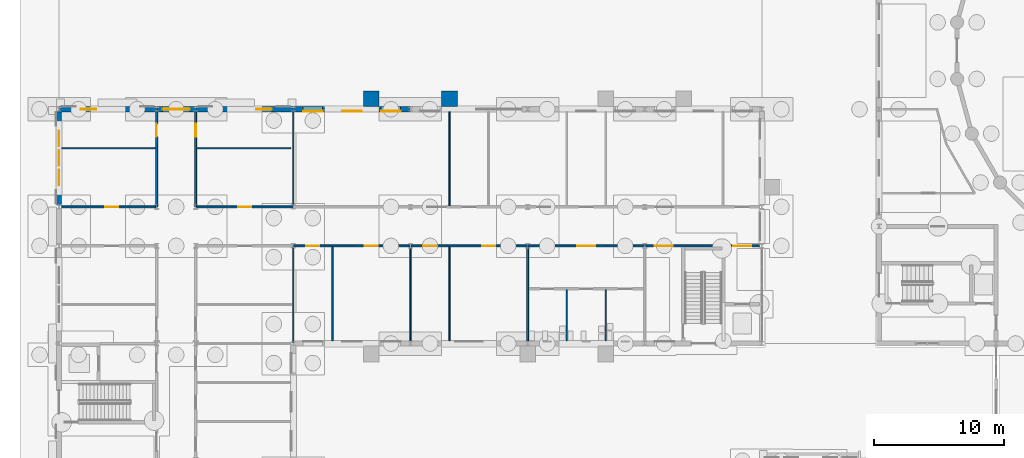
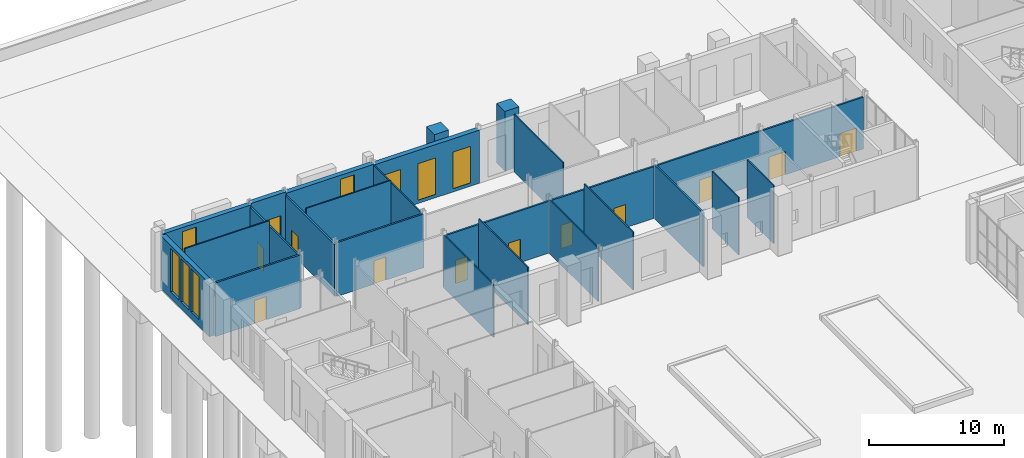
# One storey, part 94 of 168: 23 walls, 11 doors, 9 windows, 20 openings.
"""IFC4 building model written with IfcOpenShell, lengths in metres."""

from ifc_helpers import new_model, si_unit, direction, frame, frame_2d, origin, place, context, subcontext, project, spatial, rectangle, extrude, material, layer, layer_set, type_object, element, fill, save


model = new_model("IFC4")

# Units and contexts
model_context = context("Model", 3, precision=1e-05, world=origin(), true_north=direction((0.0, 1.0)))
body_context = subcontext(model_context, "Body", "Model", "MODEL_VIEW")
ifc_project = project(units=[si_unit("LENGTHUNIT", "METRE"), si_unit("AREAUNIT", "SQUARE_METRE"), si_unit("VOLUMEUNIT", "CUBIC_METRE"), si_unit("PLANEANGLEUNIT", "RADIAN"), si_unit("MASSUNIT", "GRAM", prefix="KILO")], contexts=[model_context])

# Site, building, storey
site_placement = place(None, origin())
site = spatial("IfcSite", under=ifc_project, at=site_placement, CompositionType="ELEMENT")
building_placement = place(site_placement, origin())
building = spatial("IfcBuilding", under=site, at=building_placement, Name="Golden Quay Civic Hall", CompositionType="ELEMENT")
storey_placement = place(building_placement, origin())
storey = spatial("IfcBuildingStorey", under=building, at=storey_placement, Name="L00", CompositionType="ELEMENT", Elevation=0.0)

# Wall, openings, windows
ifc_material_1 = material(Name="Brick, dark clay facing", Category="masonry")
ifc_layer_1 = layer(ifc_material_1, 0.39990234375)
ifc_layer_set_1 = layer_set([ifc_layer_1], Name="Brick external wall 400")
wall_type_1 = type_object("IfcWallType", Name="Brick external wall 400", PredefinedType="STANDARD", material=ifc_layer_set_1)
wall_1_placement = place(storey_placement, frame((18.010498046875, 81.0, 0.0), z_axis=(0.0, 0.0, 1.0), x_axis=(1.0, 0.0, 0.0)))
wall_1 = element("IfcWall", 1, at=wall_1_placement, inside=storey, type_object=wall_type_1, Name="Brick external wall 400 L00 2", PredefinedType="STANDARD", context=body_context, shape_type="SweptSolid", body=[
    extrude(rectangle(XDim=8.97900390625, YDim=0.39990234375, at=frame_2d((4.489501953125, 0.0))), origin(), (0.0, 0.0, 1.0), 4.800048828125),
])
opening_1_placement = place(wall_1_placement, frame((0.739501953125, 0.0, 0.300048828125)))
opening_1 = element("IfcOpeningElement", 2, at=opening_1_placement, cuts=wall_1, Name="Opening WN4", PredefinedType="OPENING", context=body_context, shape_type="SweptSolid", body=[
    extrude(rectangle(XDim=1.5, YDim=3.300048828125, at=frame_2d((0.75, 1.64990234375))), frame((0.0, 0.2099609375, 0.0), z_axis=(0.0, -1.0, 0.0), x_axis=(1.0, 0.0, 0.0)), (0.0, 0.0, 1.0), 0.419921875),
])
opening_2_placement = place(wall_1_placement, frame((3.739501953125, 0.0, 0.300048828125)))
opening_2 = element("IfcOpeningElement", 3, at=opening_2_placement, cuts=wall_1, Name="Opening WN4", PredefinedType="OPENING", context=body_context, shape_type="SweptSolid", body=[
    extrude(rectangle(XDim=1.5, YDim=3.300048828125, at=frame_2d((0.75, 1.64990234375))), frame((0.0, 0.2099609375, 0.0), z_axis=(0.0, -1.0, 0.0), x_axis=(1.0, 0.0, 0.0)), (0.0, 0.0, 1.0), 0.419921875),
])
opening_3_placement = place(wall_1_placement, frame((6.739501953125, 0.0, 0.300048828125)))
opening_3 = element("IfcOpeningElement", 4, at=opening_3_placement, cuts=wall_1, Name="Opening WN4", PredefinedType="OPENING", context=body_context, shape_type="SweptSolid", body=[
    extrude(rectangle(XDim=1.5, YDim=3.300048828125, at=frame_2d((0.75, 1.64990234375))), frame((0.0, 0.2099609375, 0.0), z_axis=(0.0, -1.0, 0.0), x_axis=(1.0, 0.0, 0.0)), (0.0, 0.0, 1.0), 0.419921875),
])
ifc_material_2 = material(Name="Aluminium frame, double glazed", Category="aluminium")
window_type_1 = type_object("IfcWindowType", Name="Tall ground-floor window 1500 x 3300", PartitioningType="SINGLE_PANEL", PredefinedType="WINDOW", material=ifc_material_2)
window_1_placement = place(opening_1_placement, origin())
window_1 = element("IfcWindow", 5, at=window_1_placement, inside=storey, type_object=window_type_1, Name="Tall ground-floor window 1500 x 3300 L00 4", OverallHeight=3.300048828125, OverallWidth=1.5, PartitioningType="SINGLE_PANEL", PredefinedType="WINDOW", context=body_context, shape_type="SweptSolid", body=[
    extrude(rectangle(XDim=1.5, YDim=3.300048828125, at=frame_2d((0.75, 1.64990234375))), frame((0.0, -0.119873046875, 0.0), z_axis=(0.0, -1.0, 0.0), x_axis=(1.0, 0.0, 0.0)), (0.0, 0.0, 1.0), 0.06005859375),
])
fill(opening_1, window_1)
window_2_placement = place(opening_2_placement, origin())
window_2 = element("IfcWindow", 6, at=window_2_placement, inside=storey, type_object=window_type_1, Name="Tall ground-floor window 1500 x 3300 L00 5", OverallHeight=3.300048828125, OverallWidth=1.5, PartitioningType="SINGLE_PANEL", PredefinedType="WINDOW", context=body_context, shape_type="SweptSolid", body=[
    extrude(rectangle(XDim=1.5, YDim=3.300048828125, at=frame_2d((0.75, 1.64990234375))), frame((0.0, -0.119873046875, 0.0), z_axis=(0.0, -1.0, 0.0), x_axis=(1.0, 0.0, 0.0)), (0.0, 0.0, 1.0), 0.06005859375),
])
fill(opening_2, window_2)
window_3_placement = place(opening_3_placement, origin())
window_3 = element("IfcWindow", 7, at=window_3_placement, inside=storey, type_object=window_type_1, Name="Tall ground-floor window 1500 x 3300 L00 6", OverallHeight=3.300048828125, OverallWidth=1.5, PartitioningType="SINGLE_PANEL", PredefinedType="WINDOW", context=body_context, shape_type="SweptSolid", body=[
    extrude(rectangle(XDim=1.5, YDim=3.300048828125, at=frame_2d((0.75, 1.64990234375))), frame((0.0, -0.119873046875, 0.0), z_axis=(0.0, -1.0, 0.0), x_axis=(1.0, 0.0, 0.0)), (0.0, 0.0, 1.0), 0.06005859375),
])
fill(opening_3, window_3)

# Walls
ifc_material_3 = material(Name="Brick, dark clay facing", Category="masonry")
ifc_layer_2 = layer(ifc_material_3, 1.199951171875)
ifc_layer_set_2 = layer_set([ifc_layer_2], Name="Brick pilaster 1200 x 1200")
wall_type_2 = type_object("IfcWallType", Name="Brick pilaster 1200 x 1200", PredefinedType="STANDARD", material=ifc_layer_set_2)
for number, where, z_axis, x_axis, name in (
    (8, (23.39990234375, 81.800048828125, 0.0), (0.0, 0.0, 1.0), (1.0, 0.0, 0.0), "Brick pilaster 1200 x 1200 L00 1"),
    (9, (29.39990234375, 81.800048828125, 0.0), (0.0, 0.0, 1.0), (1.0, 0.0, 0.0), "Brick pilaster 1200 x 1200 L00 2"),
):
    element("IfcWall", number, at=place(storey_placement, frame(where, z_axis=z_axis, x_axis=x_axis)), inside=storey, type_object=wall_type_2, Name=name, PredefinedType="STANDARD", context=body_context, shape_type="SweptSolid", body=[
        extrude(rectangle(XDim=1.2001953125, YDim=1.199951171875, at=frame_2d((0.60009765625, 0.0))), origin(), (0.0, 0.0, 1.0), 5.39990234375),
    ])
ifc_material_4 = material(Name="Plasterboard on steel studs", Category="steel")
ifc_layer_3 = layer(ifc_material_4, 0.10009765625)
ifc_layer_set_3 = layer_set([ifc_layer_3], Name="Partition 100 stud")
wall_type_3 = type_object("IfcWallType", Name="Partition 100 stud", PredefinedType="PARTITIONING", material=ifc_layer_set_3)
for number, where, z_axis, x_axis, name in (
    (10, (0.199951171875, 78.0, 0.0), (0.0, 0.0, 1.0), (1.0, 0.0, 0.0), "Partition L00-039"),
    (11, (10.574951171875, 78.0, 0.0), (0.0, 0.0, 1.0), (1.0, 0.0, 0.0), "Partition L00-040"),
):
    element("IfcWall", number, at=place(storey_placement, frame(where, z_axis=z_axis, x_axis=x_axis)), inside=storey, type_object=wall_type_3, Name=name, PredefinedType="PARTITIONING", context=body_context, shape_type="SweptSolid", body=[
        extrude(rectangle(XDim=7.22509765625, YDim=0.10009765625, at=frame_2d((3.612548828125, 0.0))), origin(), (0.0, 0.0, 1.0), 5.199951171875),
    ])
wall_2_placement = place(storey_placement, frame((18.0, 63.074951171875, 0.0), z_axis=(0.0, 0.0, 1.0), x_axis=(0.0, 1.0, 0.0)))
element("IfcWall", 12, at=wall_2_placement, inside=storey, type_object=wall_type_3, Name="Partition L00-041", PredefinedType="PARTITIONING", context=body_context, shape_type="SweptSolid", body=[
    extrude(rectangle(XDim=7.35009765625, YDim=0.10009765625, at=frame_2d((3.675048828125, 0.0))), origin(), (0.0, 0.0, 1.0), 4.780029296875),
])
wall_3_placement = place(storey_placement, frame((18.0, 73.574951171875, 0.0), z_axis=(0.0, 0.0, 1.0), x_axis=(0.0, 1.0, 0.0)))
element("IfcWall", 13, at=wall_3_placement, inside=storey, type_object=wall_type_3, Name="Partition L00-042", PredefinedType="PARTITIONING", context=body_context, shape_type="SweptSolid", body=[
    extrude(rectangle(XDim=7.22509765625, YDim=0.10009765625, at=frame_2d((3.612548828125, 0.0))), origin(), (0.0, 0.0, 1.0), 4.780029296875),
])
wall_4_placement = place(storey_placement, frame((21.0, 63.199951171875, 0.0), z_axis=(0.0, 0.0, 1.0), x_axis=(0.0, 1.0, 0.0)))
element("IfcWall", 14, at=wall_4_placement, inside=storey, type_object=wall_type_3, Name="Partition L00-000", PredefinedType="PARTITIONING", context=body_context, shape_type="SweptSolid", body=[
    extrude(rectangle(XDim=7.22509765625, YDim=0.10009765625, at=frame_2d((3.612548828125, 0.0))), origin(), (0.0, 0.0, 1.0), 5.199951171875),
])
wall_5_placement = place(storey_placement, frame((27.0, 63.199951171875, 0.0), z_axis=(0.0, 0.0, 1.0), x_axis=(0.0, 1.0, 0.0)))
element("IfcWall", 15, at=wall_5_placement, inside=storey, type_object=wall_type_3, Name="Partition L00-001", PredefinedType="PARTITIONING", context=body_context, shape_type="SweptSolid", body=[
    extrude(rectangle(XDim=7.22509765625, YDim=0.10009765625, at=frame_2d((3.612548828125, 0.0))), origin(), (0.0, 0.0, 1.0), 4.85009765625),
])
for number, where, z_axis, x_axis, name in (
    (16, (30.0, 63.199951171875, 0.0), (0.0, 0.0, 1.0), (0.0, 1.0, 0.0), "Partition L00-002"),
    (17, (30.0, 73.574951171875, 0.0), (0.0, 0.0, 1.0), (0.0, 1.0, 0.0), "Partition L00-004"),
):
    element("IfcWall", number, at=place(storey_placement, frame(where, z_axis=z_axis, x_axis=x_axis)), inside=storey, type_object=wall_type_3, Name=name, PredefinedType="PARTITIONING", context=body_context, shape_type="SweptSolid", body=[
        extrude(rectangle(XDim=7.22509765625, YDim=0.10009765625, at=frame_2d((3.612548828125, 0.0))), origin(), (0.0, 0.0, 1.0), 5.199951171875),
    ])
for number, where, z_axis, x_axis, name in (
    (18, (39.0, 63.199951171875, 0.0), (0.0, 0.0, 1.0), (0.0, 1.0, 0.0), "Partition L00-013"),
    (19, (42.0, 63.199951171875, 0.0), (0.0, 0.0, 1.0), (0.0, 1.0, 0.0), "Partition L00-014"),
):
    element("IfcWall", number, at=place(storey_placement, frame(where, z_axis=z_axis, x_axis=x_axis)), inside=storey, type_object=wall_type_3, Name=name, PredefinedType="PARTITIONING", context=body_context, shape_type="SweptSolid", body=[
        extrude(rectangle(XDim=3.925048828125, YDim=0.10009765625, at=frame_2d((1.96240234375, 0.0))), origin(), (0.0, 0.0, 1.0), 5.199951171875),
    ])

# Wall, opening, door
ifc_material_5 = material(Name="Plasterboard on steel studs", Category="steel")
ifc_layer_4 = layer(ifc_material_5, 0.14990234375)
ifc_layer_set_4 = layer_set([ifc_layer_4], Name="Partition 150 stud fire EI 60")
wall_type_4 = type_object("IfcWallType", Name="Partition 150 stud fire EI 60", PredefinedType="PARTITIONING", material=ifc_layer_set_4)
wall_6_placement = place(storey_placement, frame((7.5, 73.5, 0.0), z_axis=(0.0, 0.0, 1.0), x_axis=(0.0, 1.0, 0.0)))
wall_6 = element("IfcWall", 20, at=wall_6_placement, inside=storey, type_object=wall_type_4, Name="Partition L00-026", PredefinedType="PARTITIONING", context=body_context, shape_type="SweptSolid", body=[
    extrude(rectangle(XDim=7.300048828125, YDim=0.14990234375, at=frame_2d((3.64990234375, 0.0))), origin(), (0.0, 0.0, 1.0), 4.679931640625),
])
opening_4_placement = place(wall_6_placement, frame((5.39990234375, 0.0, 0.0)))
opening_4 = element("IfcOpeningElement", 21, at=opening_4_placement, cuts=wall_6, Name="Opening L00-D086", PredefinedType="OPENING", context=body_context, shape_type="SweptSolid", body=[
    extrude(rectangle(XDim=1.0, YDim=2.10009765625, at=frame_2d((0.5, 1.050048828125))), frame((0.0, 0.0849609375, 0.0), z_axis=(0.0, -1.0, 0.0), x_axis=(1.0, 0.0, 0.0)), (0.0, 0.0, 1.0), 0.169921875),
])
ifc_material_6 = material(Name="Steel", Category="steel")
door_type_1 = type_object("IfcDoorType", Name="Steel fire door FD30S 1000 x 2100", OperationType="SINGLE_SWING_LEFT", PredefinedType="DOOR", material=ifc_material_6)
door_1_placement = place(opening_4_placement, origin())
door_1 = element("IfcDoor", 22, at=door_1_placement, inside=storey, type_object=door_type_1, Name="Door L00-D086", OperationType="SINGLE_SWING_LEFT", OverallHeight=2.10009765625, OverallWidth=1.0, PredefinedType="DOOR", context=body_context, shape_type="SweptSolid", body=[
    extrude(rectangle(XDim=1.0, YDim=2.10009765625, at=frame_2d((0.5, 1.050048828125))), frame((0.0, 0.02490234375, 0.0), z_axis=(0.0, -1.0, 0.0), x_axis=(1.0, 0.0, 0.0)), (0.0, 0.0, 1.0), 0.050048828125),
])
fill(opening_4, door_1)

wall_7_placement = place(storey_placement, frame((10.5, 73.5, 0.0), z_axis=(0.0, 0.0, 1.0), x_axis=(0.0, 1.0, 0.0)))
wall_7 = element("IfcWall", 23, at=wall_7_placement, inside=storey, type_object=wall_type_4, Name="Partition L00-028", PredefinedType="PARTITIONING", context=body_context, shape_type="SweptSolid", body=[
    extrude(rectangle(XDim=7.300048828125, YDim=0.14990234375, at=frame_2d((3.64990234375, 0.0))), origin(), (0.0, 0.0, 1.0), 4.679931640625),
])
opening_5_placement = place(wall_7_placement, frame((5.39990234375, 0.0, 0.0)))
opening_5 = element("IfcOpeningElement", 24, at=opening_5_placement, cuts=wall_7, Name="Opening L00-D088", PredefinedType="OPENING", context=body_context, shape_type="SweptSolid", body=[
    extrude(rectangle(XDim=1.0, YDim=2.10009765625, at=frame_2d((0.5, 1.050048828125))), frame((0.0, 0.0849609375, 0.0), z_axis=(0.0, -1.0, 0.0), x_axis=(1.0, 0.0, 0.0)), (0.0, 0.0, 1.0), 0.169921875),
])
door_2_placement = place(opening_5_placement, frame((1.0, 0.0, 0.0), z_axis=(0.0, 0.0, 1.0), x_axis=(-1.0, 0.0, 0.0)))
door_2 = element("IfcDoor", 25, at=door_2_placement, inside=storey, type_object=door_type_1, Name="Door L00-D088", OperationType="SINGLE_SWING_RIGHT", OverallHeight=2.10009765625, OverallWidth=1.0, PredefinedType="DOOR", context=body_context, shape_type="SweptSolid", body=[
    extrude(rectangle(XDim=1.0, YDim=2.10009765625, at=frame_2d((0.5, 1.050048828125))), frame((0.0, 0.025146484375, 0.0), z_axis=(0.0, -1.0, 0.0), x_axis=(1.0, 0.0, 0.0)), (0.0, 0.0, 1.0), 0.050048828125),
])
fill(opening_5, door_2)

wall_8_placement = place(storey_placement, frame((0.199951171875, 73.5, 0.0), z_axis=(0.0, 0.0, 1.0), x_axis=(1.0, 0.0, 0.0)))
wall_8 = element("IfcWall", 26, at=wall_8_placement, inside=storey, type_object=wall_type_4, Name="Partition L00-031", PredefinedType="PARTITIONING", context=body_context, shape_type="SweptSolid", body=[
    extrude(rectangle(XDim=7.22509765625, YDim=0.14990234375, at=frame_2d((3.612548828125, 0.0))), origin(), (0.0, 0.0, 1.0), 4.85009765625),
])
opening_6_placement = place(wall_8_placement, frame((3.35009765625, 0.0, 0.0)))
opening_6 = element("IfcOpeningElement", 27, at=opening_6_placement, cuts=wall_8, Name="Opening L00-D085", PredefinedType="OPENING", context=body_context, shape_type="SweptSolid", body=[
    extrude(rectangle(XDim=1.0, YDim=2.10009765625, at=frame_2d((0.5, 1.050048828125))), frame((0.0, 0.0849609375, 0.0), z_axis=(0.0, -1.0, 0.0), x_axis=(1.0, 0.0, 0.0)), (0.0, 0.0, 1.0), 0.169921875),
])
door_3_placement = place(opening_6_placement, origin())
door_3 = element("IfcDoor", 28, at=door_3_placement, inside=storey, type_object=door_type_1, Name="Door L00-D085", OperationType="SINGLE_SWING_LEFT", OverallHeight=2.10009765625, OverallWidth=1.0, PredefinedType="DOOR", context=body_context, shape_type="SweptSolid", body=[
    extrude(rectangle(XDim=1.0, YDim=2.10009765625, at=frame_2d((0.5, 1.050048828125))), frame((0.0, 0.02490234375, 0.0), z_axis=(0.0, -1.0, 0.0), x_axis=(1.0, 0.0, 0.0)), (0.0, 0.0, 1.0), 0.050048828125),
])
fill(opening_6, door_3)

wall_9_placement = place(storey_placement, frame((10.574951171875, 73.5, 0.0), z_axis=(0.0, 0.0, 1.0), x_axis=(1.0, 0.0, 0.0)))
wall_9 = element("IfcWall", 29, at=wall_9_placement, inside=storey, type_object=wall_type_4, Name="Partition L00-033", PredefinedType="PARTITIONING", context=body_context, shape_type="SweptSolid", body=[
    extrude(rectangle(XDim=7.425048828125, YDim=0.14990234375, at=frame_2d((3.71240234375, 0.0))), origin(), (0.0, 0.0, 1.0), 4.85009765625),
])
opening_7_placement = place(wall_9_placement, frame((3.175048828125, 0.0, 0.0)))
opening_7 = element("IfcOpeningElement", 30, at=opening_7_placement, cuts=wall_9, Name="Opening L00-D087", PredefinedType="OPENING", context=body_context, shape_type="SweptSolid", body=[
    extrude(rectangle(XDim=1.0, YDim=2.10009765625, at=frame_2d((0.5, 1.050048828125))), frame((0.0, 0.0849609375, 0.0), z_axis=(0.0, -1.0, 0.0), x_axis=(1.0, 0.0, 0.0)), (0.0, 0.0, 1.0), 0.169921875),
])
door_4_placement = place(opening_7_placement, origin())
door_4 = element("IfcDoor", 31, at=door_4_placement, inside=storey, type_object=door_type_1, Name="Door L00-D087", OperationType="SINGLE_SWING_LEFT", OverallHeight=2.10009765625, OverallWidth=1.0, PredefinedType="DOOR", context=body_context, shape_type="SweptSolid", body=[
    extrude(rectangle(XDim=1.0, YDim=2.10009765625, at=frame_2d((0.5, 1.050048828125))), frame((0.0, 0.02490234375, 0.0), z_axis=(0.0, -1.0, 0.0), x_axis=(1.0, 0.0, 0.0)), (0.0, 0.0, 1.0), 0.050048828125),
])
fill(opening_7, door_4)

# Wall
wall_10_placement = place(storey_placement, frame((36.0, 63.199951171875, 0.0), z_axis=(0.0, 0.0, 1.0), x_axis=(0.0, 1.0, 0.0)))
element("IfcWall", 32, at=wall_10_placement, inside=storey, type_object=wall_type_4, Name="Partition L00-003", PredefinedType="PARTITIONING", context=body_context, shape_type="SweptSolid", body=[
    extrude(rectangle(XDim=7.22509765625, YDim=0.14990234375, at=frame_2d((3.612548828125, 0.0))), origin(), (0.0, 0.0, 1.0), 4.85009765625),
])

# Wall, openings, doors
wall_11_placement = place(storey_placement, frame((18.0, 70.5, 0.0), z_axis=(0.0, 0.0, 1.0), x_axis=(1.0, 0.0, 0.0)))
wall_11 = element("IfcWall", 33, at=wall_11_placement, inside=storey, type_object=wall_type_4, Name="Partition L00-010", PredefinedType="PARTITIONING", context=body_context, shape_type="SweptSolid", body=[
    extrude(rectangle(XDim=35.800048828125, YDim=0.14990234375, at=frame_2d((17.89990234375, 0.0))), origin(), (0.0, 0.0, 1.0), 4.679931640625),
])
opening_8_placement = place(wall_11_placement, frame((1.0, 0.0, 0.0)))
opening_8 = element("IfcOpeningElement", 34, at=opening_8_placement, cuts=wall_11, Name="Opening L00-D091", PredefinedType="OPENING", context=body_context, shape_type="SweptSolid", body=[
    extrude(rectangle(XDim=1.0, YDim=2.10009765625, at=frame_2d((0.5, 1.050048828125))), frame((0.0, 0.0849609375, 0.0), z_axis=(0.0, -1.0, 0.0), x_axis=(1.0, 0.0, 0.0)), (0.0, 0.0, 1.0), 0.169921875),
])
opening_9_placement = place(wall_11_placement, frame((5.5, 0.0, 0.0)))
opening_9 = element("IfcOpeningElement", 35, at=opening_9_placement, cuts=wall_11, Name="Opening L00-D092", PredefinedType="OPENING", context=body_context, shape_type="SweptSolid", body=[
    extrude(rectangle(XDim=1.0, YDim=2.10009765625, at=frame_2d((0.5, 1.050048828125))), frame((0.0, 0.0849609375, 0.0), z_axis=(0.0, -1.0, 0.0), x_axis=(1.0, 0.0, 0.0)), (0.0, 0.0, 1.0), 0.169921875),
])
opening_10_placement = place(wall_11_placement, frame((10.0, 0.0, 0.0)))
opening_10 = element("IfcOpeningElement", 36, at=opening_10_placement, cuts=wall_11, Name="Opening L00-D093", PredefinedType="OPENING", context=body_context, shape_type="SweptSolid", body=[
    extrude(rectangle(XDim=1.0, YDim=2.10009765625, at=frame_2d((0.5, 1.050048828125))), frame((0.0, 0.0849609375, 0.0), z_axis=(0.0, -1.0, 0.0), x_axis=(1.0, 0.0, 0.0)), (0.0, 0.0, 1.0), 0.169921875),
])
opening_11_placement = place(wall_11_placement, frame((14.5, 0.0, 0.0)))
opening_11 = element("IfcOpeningElement", 37, at=opening_11_placement, cuts=wall_11, Name="Opening L00-D094", PredefinedType="OPENING", context=body_context, shape_type="SweptSolid", body=[
    extrude(rectangle(XDim=1.0, YDim=2.10009765625, at=frame_2d((0.5, 1.050048828125))), frame((0.0, 0.0849609375, 0.0), z_axis=(0.0, -1.0, 0.0), x_axis=(1.0, 0.0, 0.0)), (0.0, 0.0, 1.0), 0.169921875),
])
opening_12_placement = place(wall_11_placement, frame((21.800048828125, 0.0, 0.0)))
opening_12 = element("IfcOpeningElement", 38, at=opening_12_placement, cuts=wall_11, Name="Opening L00-D101", PredefinedType="OPENING", context=body_context, shape_type="SweptSolid", body=[
    extrude(rectangle(XDim=1.39990234375, YDim=2.10009765625, at=frame_2d((0.699951171875, 1.050048828125))), frame((0.0, 0.0849609375, 0.0), z_axis=(0.0, -1.0, 0.0), x_axis=(1.0, 0.0, 0.0)), (0.0, 0.0, 1.0), 0.169921875),
])
opening_13_placement = place(wall_11_placement, frame((27.75, 0.0, 0.0)))
opening_13 = element("IfcOpeningElement", 39, at=opening_13_placement, cuts=wall_11, Name="Opening L00-D106", PredefinedType="OPENING", context=body_context, shape_type="SweptSolid", body=[
    extrude(rectangle(XDim=1.39990234375, YDim=2.10009765625, at=frame_2d((0.699951171875, 1.050048828125))), frame((0.0, 0.0849609375, 0.0), z_axis=(0.0, -1.0, 0.0), x_axis=(1.0, 0.0, 0.0)), (0.0, 0.0, 1.0), 0.169921875),
])
opening_14_placement = place(wall_11_placement, frame((33.800048828125, 0.0, 0.0)))
opening_14 = element("IfcOpeningElement", 40, at=opening_14_placement, cuts=wall_11, Name="Opening L00-D107", PredefinedType="OPENING", context=body_context, shape_type="SweptSolid", body=[
    extrude(rectangle(XDim=1.39990234375, YDim=2.10009765625, at=frame_2d((0.699951171875, 1.050048828125))), frame((0.0, 0.0849609375, 0.0), z_axis=(0.0, -1.0, 0.0), x_axis=(1.0, 0.0, 0.0)), (0.0, 0.0, 1.0), 0.169921875),
])
ifc_material_7 = material(Name="Steel", Category="steel")
door_type_2 = type_object("IfcDoorType", Name="Steel double fire door FD30S 1400 x 2100", OperationType="DOUBLE_DOOR_SINGLE_SWING", PredefinedType="DOOR", material=ifc_material_7)
door_5_placement = place(opening_12_placement, frame((1.39990234375, 0.0, 0.0), z_axis=(0.0, 0.0, 1.0), x_axis=(-1.0, 0.0, 0.0)))
door_5 = element("IfcDoor", 41, at=door_5_placement, inside=storey, type_object=door_type_2, Name="Door L00-D101", OperationType="DOUBLE_DOOR_SINGLE_SWING", OverallHeight=2.10009765625, OverallWidth=1.39990234375, PredefinedType="DOOR", context=body_context, shape_type="SweptSolid", body=[
    extrude(rectangle(XDim=1.39990234375, YDim=2.10009765625, at=frame_2d((0.699951171875, 1.050048828125))), frame((0.0, 0.025146484375, 0.0), z_axis=(0.0, -1.0, 0.0), x_axis=(1.0, 0.0, 0.0)), (0.0, 0.0, 1.0), 0.050048828125),
])
fill(opening_12, door_5)
door_6_placement = place(opening_13_placement, origin())
door_6 = element("IfcDoor", 42, at=door_6_placement, inside=storey, type_object=door_type_2, Name="Door L00-D106", OperationType="DOUBLE_DOOR_SINGLE_SWING", OverallHeight=2.10009765625, OverallWidth=1.39990234375, PredefinedType="DOOR", context=body_context, shape_type="SweptSolid", body=[
    extrude(rectangle(XDim=1.39990234375, YDim=2.10009765625, at=frame_2d((0.699951171875, 1.050048828125))), frame((0.0, 0.02490234375, 0.0), z_axis=(0.0, -1.0, 0.0), x_axis=(1.0, 0.0, 0.0)), (0.0, 0.0, 1.0), 0.050048828125),
])
fill(opening_13, door_6)
door_7_placement = place(opening_14_placement, origin())
door_7 = element("IfcDoor", 43, at=door_7_placement, inside=storey, type_object=door_type_2, Name="Door L00-D107", OperationType="DOUBLE_DOOR_SINGLE_SWING", OverallHeight=2.10009765625, OverallWidth=1.39990234375, PredefinedType="DOOR", context=body_context, shape_type="SweptSolid", body=[
    extrude(rectangle(XDim=1.39990234375, YDim=2.10009765625, at=frame_2d((0.699951171875, 1.050048828125))), frame((0.0, 0.02490234375, 0.0), z_axis=(0.0, -1.0, 0.0), x_axis=(1.0, 0.0, 0.0)), (0.0, 0.0, 1.0), 0.050048828125),
])
fill(opening_14, door_7)
door_8_placement = place(opening_8_placement, frame((1.0, 0.0, 0.0), z_axis=(0.0, 0.0, 1.0), x_axis=(-1.0, 0.0, 0.0)))
door_8 = element("IfcDoor", 44, at=door_8_placement, inside=storey, type_object=door_type_1, Name="Door L00-D091", OperationType="SINGLE_SWING_RIGHT", OverallHeight=2.10009765625, OverallWidth=1.0, PredefinedType="DOOR", context=body_context, shape_type="SweptSolid", body=[
    extrude(rectangle(XDim=1.0, YDim=2.10009765625, at=frame_2d((0.5, 1.050048828125))), frame((0.0, 0.025146484375, 0.0), z_axis=(0.0, -1.0, 0.0), x_axis=(1.0, 0.0, 0.0)), (0.0, 0.0, 1.0), 0.050048828125),
])
fill(opening_8, door_8)
door_9_placement = place(opening_9_placement, frame((1.0, 0.0, 0.0), z_axis=(0.0, 0.0, 1.0), x_axis=(-1.0, 0.0, 0.0)))
door_9 = element("IfcDoor", 45, at=door_9_placement, inside=storey, type_object=door_type_1, Name="Door L00-D092", OperationType="SINGLE_SWING_RIGHT", OverallHeight=2.10009765625, OverallWidth=1.0, PredefinedType="DOOR", context=body_context, shape_type="SweptSolid", body=[
    extrude(rectangle(XDim=1.0, YDim=2.10009765625, at=frame_2d((0.5, 1.050048828125))), frame((0.0, 0.025146484375, 0.0), z_axis=(0.0, -1.0, 0.0), x_axis=(1.0, 0.0, 0.0)), (0.0, 0.0, 1.0), 0.050048828125),
])
fill(opening_9, door_9)
door_10_placement = place(opening_10_placement, frame((1.0, 0.0, 0.0), z_axis=(0.0, 0.0, 1.0), x_axis=(-1.0, 0.0, 0.0)))
door_10 = element("IfcDoor", 46, at=door_10_placement, inside=storey, type_object=door_type_1, Name="Door L00-D093", OperationType="SINGLE_SWING_RIGHT", OverallHeight=2.10009765625, OverallWidth=1.0, PredefinedType="DOOR", context=body_context, shape_type="SweptSolid", body=[
    extrude(rectangle(XDim=1.0, YDim=2.10009765625, at=frame_2d((0.5, 1.050048828125))), frame((0.0, 0.025146484375, 0.0), z_axis=(0.0, -1.0, 0.0), x_axis=(1.0, 0.0, 0.0)), (0.0, 0.0, 1.0), 0.050048828125),
])
fill(opening_10, door_10)
door_11_placement = place(opening_11_placement, frame((1.0, 0.0, 0.0), z_axis=(0.0, 0.0, 1.0), x_axis=(-1.0, 0.0, 0.0)))
door_11 = element("IfcDoor", 47, at=door_11_placement, inside=storey, type_object=door_type_1, Name="Door L00-D094", OperationType="SINGLE_SWING_RIGHT", OverallHeight=2.10009765625, OverallWidth=1.0, PredefinedType="DOOR", context=body_context, shape_type="SweptSolid", body=[
    extrude(rectangle(XDim=1.0, YDim=2.10009765625, at=frame_2d((0.5, 1.050048828125))), frame((0.0, 0.025146484375, 0.0), z_axis=(0.0, -1.0, 0.0), x_axis=(1.0, 0.0, 0.0)), (0.0, 0.0, 1.0), 0.050048828125),
])
fill(opening_11, door_11)

# Wall, openings, windows
ifc_material_8 = material(Name="Clay block, rendered, cream")
ifc_layer_5 = layer(ifc_material_8, 0.39990234375)
ifc_layer_set_5 = layer_set([ifc_layer_5], Name="Rendered block external wall 400")
wall_type_5 = type_object("IfcWallType", Name="Rendered block external wall 400", PredefinedType="STANDARD", material=ifc_layer_set_5)
wall_12_placement = place(storey_placement, frame((0.0, 73.64990234375, 0.0), z_axis=(0.0, 0.0, 1.0), x_axis=(0.0, 1.0, 0.0)))
wall_12 = element("IfcWall", 48, at=wall_12_placement, inside=storey, type_object=wall_type_5, Name="Rendered block external wall 400 L00 8", PredefinedType="STANDARD", context=body_context, shape_type="SweptSolid", body=[
    extrude(rectangle(XDim=7.2001953125, YDim=0.39990234375, at=frame_2d((3.60009765625, 0.0))), origin(), (0.0, 0.0, 1.0), 4.800048828125),
])
opening_15_placement = place(wall_12_placement, frame((1.5, 0.0, 0.60009765625)))
opening_15 = element("IfcOpeningElement", 49, at=opening_15_placement, cuts=wall_12, Name="Opening WN3", PredefinedType="OPENING", context=body_context, shape_type="SweptSolid", body=[
    extrude(rectangle(XDim=1.199951171875, YDim=3.89990234375, at=frame_2d((0.60009765625, 1.949951171875))), frame((0.0, 0.2099609375, 0.0), z_axis=(0.0, -1.0, 0.0), x_axis=(1.0, 0.0, 0.0)), (0.0, 0.0, 1.0), 0.419921875),
])
opening_16_placement = place(wall_12_placement, frame((3.0, 0.0, 0.60009765625)))
opening_16 = element("IfcOpeningElement", 50, at=opening_16_placement, cuts=wall_12, Name="Opening WN3", PredefinedType="OPENING", context=body_context, shape_type="SweptSolid", body=[
    extrude(rectangle(XDim=1.199951171875, YDim=3.89990234375, at=frame_2d((0.60009765625, 1.949951171875))), frame((0.0, 0.2099609375, 0.0), z_axis=(0.0, -1.0, 0.0), x_axis=(1.0, 0.0, 0.0)), (0.0, 0.0, 1.0), 0.419921875),
])
opening_17_placement = place(wall_12_placement, frame((4.5, 0.0, 0.60009765625)))
opening_17 = element("IfcOpeningElement", 51, at=opening_17_placement, cuts=wall_12, Name="Opening WN3", PredefinedType="OPENING", context=body_context, shape_type="SweptSolid", body=[
    extrude(rectangle(XDim=1.199951171875, YDim=3.89990234375, at=frame_2d((0.60009765625, 1.949951171875))), frame((0.0, 0.2099609375, 0.0), z_axis=(0.0, -1.0, 0.0), x_axis=(1.0, 0.0, 0.0)), (0.0, 0.0, 1.0), 0.419921875),
])
ifc_material_9 = material(Name="Aluminium frame, double glazed", Category="aluminium")
window_type_2 = type_object("IfcWindowType", Name="Golden grid window 1200 x 3900", PartitioningType="SINGLE_PANEL", PredefinedType="WINDOW", material=ifc_material_9)
window_4_placement = place(opening_15_placement, origin())
window_4 = element("IfcWindow", 52, at=window_4_placement, inside=storey, type_object=window_type_2, Name="Golden grid window 1200 x 3900 L00 12", OverallHeight=3.89990234375, OverallWidth=1.199951171875, PartitioningType="SINGLE_PANEL", PredefinedType="WINDOW", context=body_context, shape_type="SweptSolid", body=[
    extrude(rectangle(XDim=1.199951171875, YDim=3.89990234375, at=frame_2d((0.60009765625, 1.949951171875))), frame((0.0, 0.030029296875, 0.0), z_axis=(0.0, -1.0, 0.0), x_axis=(1.0, 0.0, 0.0)), (0.0, 0.0, 1.0), 0.06005859375),
])
fill(opening_15, window_4)
window_5_placement = place(opening_16_placement, origin())
window_5 = element("IfcWindow", 53, at=window_5_placement, inside=storey, type_object=window_type_2, Name="Golden grid window 1200 x 3900 L00 13", OverallHeight=3.89990234375, OverallWidth=1.199951171875, PartitioningType="SINGLE_PANEL", PredefinedType="WINDOW", context=body_context, shape_type="SweptSolid", body=[
    extrude(rectangle(XDim=1.199951171875, YDim=3.89990234375, at=frame_2d((0.60009765625, 1.949951171875))), frame((0.0, 0.030029296875, 0.0), z_axis=(0.0, -1.0, 0.0), x_axis=(1.0, 0.0, 0.0)), (0.0, 0.0, 1.0), 0.06005859375),
])
fill(opening_16, window_5)
window_6_placement = place(opening_17_placement, origin())
window_6 = element("IfcWindow", 54, at=window_6_placement, inside=storey, type_object=window_type_2, Name="Golden grid window 1200 x 3900 L00 14", OverallHeight=3.89990234375, OverallWidth=1.199951171875, PartitioningType="SINGLE_PANEL", PredefinedType="WINDOW", context=body_context, shape_type="SweptSolid", body=[
    extrude(rectangle(XDim=1.199951171875, YDim=3.89990234375, at=frame_2d((0.60009765625, 1.949951171875))), frame((0.0, 0.030029296875, 0.0), z_axis=(0.0, -1.0, 0.0), x_axis=(1.0, 0.0, 0.0)), (0.0, 0.0, 1.0), 0.06005859375),
])
fill(opening_17, window_6)

# Wall, opening, window
wall_13_placement = place(storey_placement, frame((0.010498046875, 81.0, 0.0), z_axis=(0.0, 0.0, 1.0), x_axis=(1.0, 0.0, 0.0)))
wall_13 = element("IfcWall", 55, at=wall_13_placement, inside=storey, type_object=wall_type_5, Name="Rendered block external wall 400 L00 9", PredefinedType="STANDARD", context=body_context, shape_type="SweptSolid", body=[
    extrude(rectangle(XDim=7.47900390625, YDim=0.39990234375, at=frame_2d((3.739501953125, 0.0))), origin(), (0.0, 0.0, 1.0), 4.8701171875),
])
opening_18_placement = place(wall_13_placement, frame((1.639404296875, 0.0, 0.60009765625)))
opening_18 = element("IfcOpeningElement", 56, at=opening_18_placement, cuts=wall_13, Name="Opening WN3", PredefinedType="OPENING", context=body_context, shape_type="SweptSolid", body=[
    extrude(rectangle(XDim=1.199951171875, YDim=3.89990234375, at=frame_2d((0.60009765625, 1.949951171875))), frame((0.0, 0.2099609375, 0.0), z_axis=(0.0, -1.0, 0.0), x_axis=(1.0, 0.0, 0.0)), (0.0, 0.0, 1.0), 0.419921875),
])
window_7_placement = place(opening_18_placement, origin())
window_7 = element("IfcWindow", 57, at=window_7_placement, inside=storey, type_object=window_type_2, Name="Golden grid window 1200 x 3900 L00 15", OverallHeight=3.89990234375, OverallWidth=1.199951171875, PartitioningType="SINGLE_PANEL", PredefinedType="WINDOW", context=body_context, shape_type="SweptSolid", body=[
    extrude(rectangle(XDim=1.199951171875, YDim=3.89990234375, at=frame_2d((0.60009765625, 1.949951171875))), frame((0.0, 0.030029296875, 0.0), z_axis=(0.0, -1.0, 0.0), x_axis=(1.0, 0.0, 0.0)), (0.0, 0.0, 1.0), 0.06005859375),
])
fill(opening_18, window_7)

wall_14_placement = place(storey_placement, frame((7.510498046875, 81.0, 0.0), z_axis=(0.0, 0.0, 1.0), x_axis=(1.0, 0.0, 0.0)))
wall_14 = element("IfcWall", 58, at=wall_14_placement, inside=storey, type_object=wall_type_5, Name="Rendered block external wall 400 L00 10", PredefinedType="STANDARD", context=body_context, shape_type="SweptSolid", body=[
    extrude(rectangle(XDim=2.97900390625, YDim=0.39990234375, at=frame_2d((1.489501953125, 0.0))), origin(), (0.0, 0.0, 1.0), 5.0),
])
opening_19_placement = place(wall_14_placement, frame((0.439453125, 0.0, 0.89990234375)))
opening_19 = element("IfcOpeningElement", 59, at=opening_19_placement, cuts=wall_14, Name="Opening WN2", PredefinedType="OPENING", context=body_context, shape_type="SweptSolid", body=[
    extrude(rectangle(XDim=2.10009765625, YDim=2.10009765625, at=frame_2d((1.050048828125, 1.050048828125))), frame((0.0, 0.2099609375, 0.0), z_axis=(0.0, -1.0, 0.0), x_axis=(1.0, 0.0, 0.0)), (0.0, 0.0, 1.0), 0.419921875),
])
ifc_material_10 = material(Name="Aluminium frame, double glazed", Category="aluminium")
window_type_3 = type_object("IfcWindowType", Name="Corridor end window 2100 x 2100", PartitioningType="SINGLE_PANEL", PredefinedType="WINDOW", material=ifc_material_10)
window_8_placement = place(opening_19_placement, origin())
window_8 = element("IfcWindow", 60, at=window_8_placement, inside=storey, type_object=window_type_3, Name="Corridor end window 2100 x 2100 L00 3", OverallHeight=2.10009765625, OverallWidth=2.10009765625, PartitioningType="SINGLE_PANEL", PredefinedType="WINDOW", context=body_context, shape_type="SweptSolid", body=[
    extrude(rectangle(XDim=2.10009765625, YDim=2.10009765625, at=frame_2d((1.050048828125, 1.050048828125))), frame((0.0, 0.030029296875, 0.0), z_axis=(0.0, -1.0, 0.0), x_axis=(1.0, 0.0, 0.0)), (0.0, 0.0, 1.0), 0.06005859375),
])
fill(opening_19, window_8)

wall_15_placement = place(storey_placement, frame((10.510498046875, 81.0, 0.0), z_axis=(0.0, 0.0, 1.0), x_axis=(1.0, 0.0, 0.0)))
wall_15 = element("IfcWall", 61, at=wall_15_placement, inside=storey, type_object=wall_type_5, Name="Rendered block external wall 400 L00 11", PredefinedType="STANDARD", context=body_context, shape_type="SweptSolid", body=[
    extrude(rectangle(XDim=7.47900390625, YDim=0.39990234375, at=frame_2d((3.739501953125, 0.0))), origin(), (0.0, 0.0, 1.0), 4.8701171875),
])
opening_20_placement = place(wall_15_placement, frame((4.639404296875, 0.0, 0.60009765625)))
opening_20 = element("IfcOpeningElement", 62, at=opening_20_placement, cuts=wall_15, Name="Opening WN3", PredefinedType="OPENING", context=body_context, shape_type="SweptSolid", body=[
    extrude(rectangle(XDim=1.199951171875, YDim=3.89990234375, at=frame_2d((0.60009765625, 1.949951171875))), frame((0.0, 0.2099609375, 0.0), z_axis=(0.0, -1.0, 0.0), x_axis=(1.0, 0.0, 0.0)), (0.0, 0.0, 1.0), 0.419921875),
])
window_9_placement = place(opening_20_placement, origin())
window_9 = element("IfcWindow", 63, at=window_9_placement, inside=storey, type_object=window_type_2, Name="Golden grid window 1200 x 3900 L00 16", OverallHeight=3.89990234375, OverallWidth=1.199951171875, PartitioningType="SINGLE_PANEL", PredefinedType="WINDOW", context=body_context, shape_type="SweptSolid", body=[
    extrude(rectangle(XDim=1.199951171875, YDim=3.89990234375, at=frame_2d((0.60009765625, 1.949951171875))), frame((0.0, 0.030029296875, 0.0), z_axis=(0.0, -1.0, 0.0), x_axis=(1.0, 0.0, 0.0)), (0.0, 0.0, 1.0), 0.06005859375),
])
fill(opening_20, window_9)

save(model, "model.ifc")
